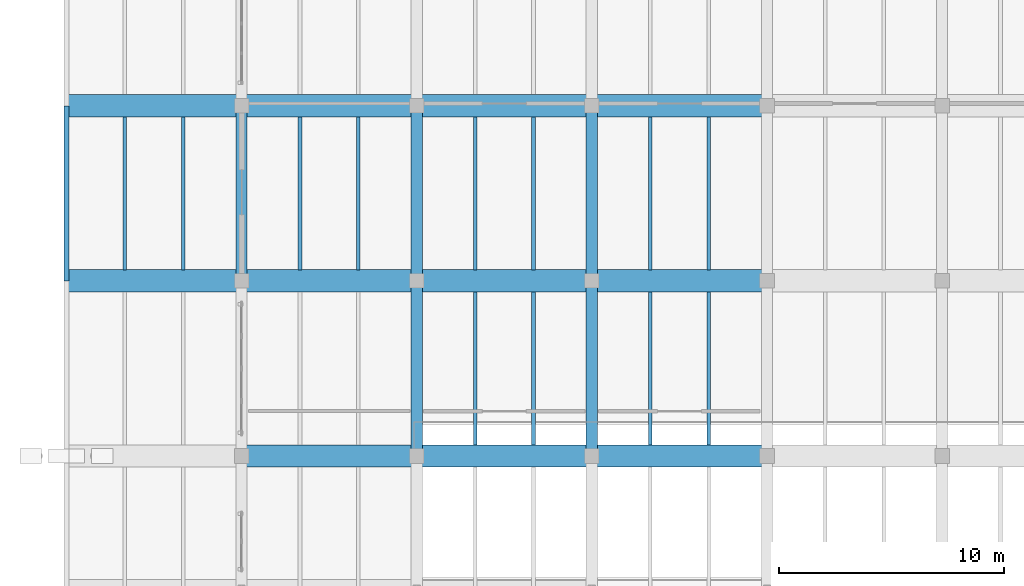
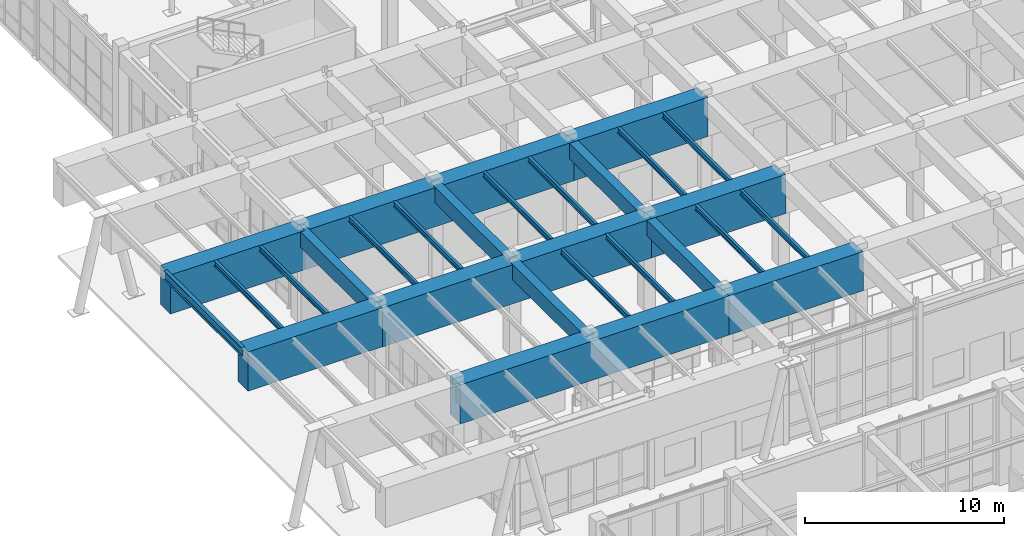
# One storey, part 22 of 110: 26 beams.
"""IFC4 building model written with IfcOpenShell, lengths in metres."""

from ifc_helpers import new_model, si_unit, direction, frame, origin, origin_2d, place, context, subcontext, project, spatial, rectangle, i_section, extrude, material, material_profile, profile_set, type_object, element, save


model = new_model("IFC4")

# Units and contexts
model_context = context("Model", 3, precision=1e-05, world=origin(), true_north=direction((0.0, 1.0)))
body_context = subcontext(model_context, "Body", "Model", "MODEL_VIEW")
ifc_project = project(units=[si_unit("LENGTHUNIT", "METRE"), si_unit("AREAUNIT", "SQUARE_METRE"), si_unit("VOLUMEUNIT", "CUBIC_METRE"), si_unit("PLANEANGLEUNIT", "RADIAN"), si_unit("MASSUNIT", "GRAM", prefix="KILO")], contexts=[model_context])

# Site, building, storey
site_placement = place(None, origin())
site = spatial("IfcSite", under=ifc_project, at=site_placement, CompositionType="ELEMENT")
building_placement = place(site_placement, origin())
building = spatial("IfcBuilding", under=site, at=building_placement, Name="Tizgana Railside Sports Hall", CompositionType="ELEMENT")
storey_placement = place(building_placement, origin())
storey = spatial("IfcBuildingStorey", under=building, at=storey_placement, Name="L00", CompositionType="ELEMENT", Elevation=0.0)

# Beams
ifc_material_1 = material(Name="Concrete C40/50", Category="concrete")
ifc_material_profile_1 = material_profile(ifc_material_1, rectangle(XDim=0.5, YDim=0.949951171875, at=origin_2d()), Name="RCB 500x950")
ifc_profile_set_1 = profile_set([ifc_material_profile_1], Name="Concrete C40/50")
beam_type_1 = type_object("IfcBeamType", Name="Concrete Beam RCB 500x950", PredefinedType="BEAM", material=ifc_profile_set_1)
beam_1_placement = place(storey_placement, frame((7.800048828125, 54.60009765625, 5.180908203125), z_axis=(0.0, 1.0, 0.0), x_axis=(-1.0, 0.0, 0.0)))
element("IfcBeam", 1, at=beam_1_placement, inside=storey, type_object=beam_type_1, Name="L00 BEM-0140", PredefinedType="BEAM", context=body_context, shape_type="SweptSolid", body=[
    extrude(rectangle(XDim=0.5, YDim=0.949951171875, at=origin_2d()), origin(), (0.0, 0.0, 1.0), 7.7998046875),
])
beam_2_placement = place(storey_placement, frame((15.60009765625, 46.800048828125, 5.180908203125), z_axis=(0.0, 1.0, 0.0), x_axis=(-1.0, 0.0, 0.0)))
element("IfcBeam", 2, at=beam_2_placement, inside=storey, type_object=beam_type_1, Name="L00 BEM-0145", PredefinedType="BEAM", context=body_context, shape_type="SweptSolid", body=[
    extrude(rectangle(XDim=0.5, YDim=0.949951171875, at=origin_2d()), origin(), (0.0, 0.0, 1.0), 7.800048828125),
])
beam_3_placement = place(storey_placement, frame((15.60009765625, 54.60009765625, 5.180908203125), z_axis=(0.0, 1.0, 0.0), x_axis=(-1.0, 0.0, 0.0)))
element("IfcBeam", 3, at=beam_3_placement, inside=storey, type_object=beam_type_1, Name="L00 BEM-0146", PredefinedType="BEAM", context=body_context, shape_type="SweptSolid", body=[
    extrude(rectangle(XDim=0.5, YDim=0.949951171875, at=origin_2d()), origin(), (0.0, 0.0, 1.0), 7.7998046875),
])
beam_4_placement = place(storey_placement, frame((23.39990234375, 46.800048828125, 5.160888671875), z_axis=(0.0, 1.0, 0.0), x_axis=(-1.0, 0.0, 0.0)))
element("IfcBeam", 4, at=beam_4_placement, inside=storey, type_object=beam_type_1, Name="L00 BEM-0150", PredefinedType="BEAM", context=body_context, shape_type="SweptSolid", body=[
    extrude(rectangle(XDim=0.5, YDim=0.949951171875, at=origin_2d()), origin(), (0.0, 0.0, 1.0), 7.800048828125),
])
beam_5_placement = place(storey_placement, frame((23.39990234375, 54.60009765625, 5.160888671875), z_axis=(0.0, 1.0, 0.0), x_axis=(-1.0, 0.0, 0.0)))
element("IfcBeam", 5, at=beam_5_placement, inside=storey, type_object=beam_type_1, Name="L00 BEM-0151", PredefinedType="BEAM", context=body_context, shape_type="SweptSolid", body=[
    extrude(rectangle(XDim=0.5, YDim=0.949951171875, at=origin_2d()), origin(), (0.0, 0.0, 1.0), 7.7998046875),
])
ifc_material_profile_2 = material_profile(ifc_material_1, rectangle(XDim=1.0, YDim=2.39990234375, at=origin_2d()), Name="PTG 1000x2400")
ifc_profile_set_2 = profile_set([ifc_material_profile_2], Name="Concrete C40/50")
beam_type_2 = type_object("IfcBeamType", Name="Post-Tensioned Girder PTG 1000x2400", PredefinedType="BEAM", material=ifc_profile_set_2)
beam_6_placement = place(storey_placement, frame((7.800048828125, 46.800048828125, 4.43603515625), z_axis=(1.0, 0.0, 0.0), x_axis=(0.0, 1.0, 0.0)))
element("IfcBeam", 6, at=beam_6_placement, inside=storey, type_object=beam_type_2, Name="L00 PTG-0004", PredefinedType="BEAM", context=body_context, shape_type="SweptSolid", body=[
    extrude(rectangle(XDim=1.0, YDim=2.39990234375, at=origin_2d()), origin(), (0.0, 0.0, 1.0), 15.599853515625),
])
for number, where, z_axis, x_axis, name in (
    (7, (23.39990234375, 46.800048828125, 4.43603515625), (1.0, 0.0, 0.0), (0.0, 1.0, 0.0), "L00 BEM-0099"),
    (8, (0.0, 54.60009765625, 4.4560546875), (1.0, 0.0, 0.0), (0.0, 1.0, 0.0), "L00 PTG-0005"),
):
    element("IfcBeam", number, at=place(storey_placement, frame(where, z_axis=z_axis, x_axis=x_axis)), inside=storey, type_object=beam_type_2, Name=name, PredefinedType="BEAM", context=body_context, shape_type="SweptSolid", body=[
        extrude(rectangle(XDim=1.0, YDim=2.39990234375, at=origin_2d()), origin(), (0.0, 0.0, 1.0), 7.800048828125),
    ])
beam_7_placement = place(storey_placement, frame((7.800048828125, 54.60009765625, 4.43603515625), z_axis=(1.0, 0.0, 0.0), x_axis=(0.0, 1.0, 0.0)))
element("IfcBeam", 9, at=beam_7_placement, inside=storey, type_object=beam_type_2, Name="L00 PTG-0006", PredefinedType="BEAM", context=body_context, shape_type="SweptSolid", body=[
    extrude(rectangle(XDim=1.0, YDim=2.39990234375, at=origin_2d()), origin(), (0.0, 0.0, 1.0), 15.599853515625),
])
for number, where, z_axis, x_axis, name in (
    (10, (23.39990234375, 54.60009765625, 4.43603515625), (1.0, 0.0, 0.0), (0.0, 1.0, 0.0), "L00 BEM-0105"),
    (11, (0.0, 62.39990234375, 4.4560546875), (1.0, 0.0, 0.0), (0.0, 1.0, 0.0), "L00 PTG-0007"),
):
    element("IfcBeam", number, at=place(storey_placement, frame(where, z_axis=z_axis, x_axis=x_axis)), inside=storey, type_object=beam_type_2, Name=name, PredefinedType="BEAM", context=body_context, shape_type="SweptSolid", body=[
        extrude(rectangle(XDim=1.0, YDim=2.39990234375, at=origin_2d()), origin(), (0.0, 0.0, 1.0), 7.800048828125),
    ])
beam_8_placement = place(storey_placement, frame((7.800048828125, 62.39990234375, 4.43603515625), z_axis=(1.0, 0.0, 0.0), x_axis=(0.0, 1.0, 0.0)))
element("IfcBeam", 12, at=beam_8_placement, inside=storey, type_object=beam_type_2, Name="L00 PTG-0008", PredefinedType="BEAM", context=body_context, shape_type="SweptSolid", body=[
    extrude(rectangle(XDim=1.0, YDim=2.39990234375, at=origin_2d()), origin(), (0.0, 0.0, 1.0), 15.599853515625),
])
beam_9_placement = place(storey_placement, frame((23.39990234375, 62.39990234375, 4.43603515625), z_axis=(1.0, 0.0, 0.0), x_axis=(0.0, 1.0, 0.0)))
element("IfcBeam", 13, at=beam_9_placement, inside=storey, type_object=beam_type_2, Name="L00 BEM-0111", PredefinedType="BEAM", context=body_context, shape_type="SweptSolid", body=[
    extrude(rectangle(XDim=1.0, YDim=2.39990234375, at=origin_2d()), origin(), (0.0, 0.0, 1.0), 7.800048828125),
])
ifc_material_2 = material(Name="Steel S355J2", Category="steel")
ifc_material_profile_3 = material_profile(ifc_material_2, i_section(OverallWidth=0.2099609375, OverallDepth=0.550048828125, WebThickness=0.010986328125, FlangeThickness=0.01708984375, FilletRadius=0.02392578125, at=origin_2d()), Name="IPE 550")
ifc_profile_set_3 = profile_set([ifc_material_profile_3], Name="Steel S355J2")
beam_type_3 = type_object("IfcBeamType", Name="Steel Beam IPE 550", PredefinedType="BEAM", material=ifc_profile_set_3)
beam_10_placement = place(storey_placement, frame((0.0, 54.60009765625, 5.381103515625), z_axis=(0.0, 1.0, 0.0), x_axis=(-1.0, 0.0, 0.0)))
element("IfcBeam", 14, at=beam_10_placement, inside=storey, type_object=beam_type_3, Name="L00 BEM-0135", PredefinedType="BEAM", context=body_context, shape_type="SweptSolid", body=[
    extrude(i_section(OverallWidth=0.2099609375, OverallDepth=0.550048828125, WebThickness=0.010986328125, FlangeThickness=0.01708984375, FilletRadius=0.02392578125, at=origin_2d()), origin(), (0.0, 0.0, 1.0), 7.7998046875),
])
ifc_material_profile_4 = material_profile(ifc_material_2, i_section(OverallWidth=0.159912109375, OverallDepth=0.330078125, WebThickness=0.007568359375, FlangeThickness=0.011474609375, FilletRadius=0.01806640625, at=origin_2d()), Name="IPE 330")
ifc_profile_set_4 = profile_set([ifc_material_profile_4], Name="Steel S355J2")
beam_type_4 = type_object("IfcBeamType", Name="Steel Joist IPE 330", PredefinedType="JOIST", material=ifc_profile_set_4)
for number, where, z_axis, x_axis, name in (
    (15, (2.60009765625, 55.094970703125, 5.490966796875), (0.0, 1.0, 0.0), (-1.0, 0.0, 0.0), "L00 BEM-0180"),
    (16, (5.199951171875, 55.094970703125, 5.490966796875), (0.0, 1.0, 0.0), (-1.0, 0.0, 0.0), "L00 BEM-0185"),
    (17, (10.39990234375, 55.094970703125, 5.490966796875), (0.0, 1.0, 0.0), (-1.0, 0.0, 0.0), "L00 BEM-0190"),
    (18, (13.0, 55.094970703125, 5.490966796875), (0.0, 1.0, 0.0), (-1.0, 0.0, 0.0), "L00 BEM-0195"),
    (19, (18.199951171875, 47.294921875, 5.490966796875), (0.0, 1.0, 0.0), (-1.0, 0.0, 0.0), "L00 BEM-0199"),
    (20, (18.199951171875, 55.094970703125, 5.490966796875), (0.0, 1.0, 0.0), (-1.0, 0.0, 0.0), "L00 BEM-0200"),
    (21, (20.800048828125, 47.294921875, 5.490966796875), (0.0, 1.0, 0.0), (-1.0, 0.0, 0.0), "L00 BEM-0204"),
    (22, (20.800048828125, 55.094970703125, 5.490966796875), (0.0, 1.0, 0.0), (-1.0, 0.0, 0.0), "L00 BEM-0205"),
    (23, (26.0, 47.294921875, 5.470947265625), (0.0, 1.0, 0.0), (-1.0, 0.0, 0.0), "L00 BEM-0209"),
    (24, (26.0, 55.094970703125, 5.470947265625), (0.0, 1.0, 0.0), (-1.0, 0.0, 0.0), "L00 BEM-0210"),
    (25, (28.60009765625, 47.294921875, 5.470947265625), (0.0, 1.0, 0.0), (-1.0, 0.0, 0.0), "L00 BEM-0214"),
    (26, (28.60009765625, 55.094970703125, 5.470947265625), (0.0, 1.0, 0.0), (-1.0, 0.0, 0.0), "L00 BEM-0215"),
):
    element("IfcBeam", number, at=place(storey_placement, frame(where, z_axis=z_axis, x_axis=x_axis)), inside=storey, type_object=beam_type_4, Name=name, PredefinedType="JOIST", context=body_context, shape_type="SweptSolid", body=[
        extrude(i_section(OverallWidth=0.159912109375, OverallDepth=0.330078125, WebThickness=0.007568359375, FlangeThickness=0.011474609375, FilletRadius=0.01806640625, at=origin_2d()), origin(), (0.0, 0.0, 1.0), 6.81005859375),
    ])

save(model, "model.ifc")
